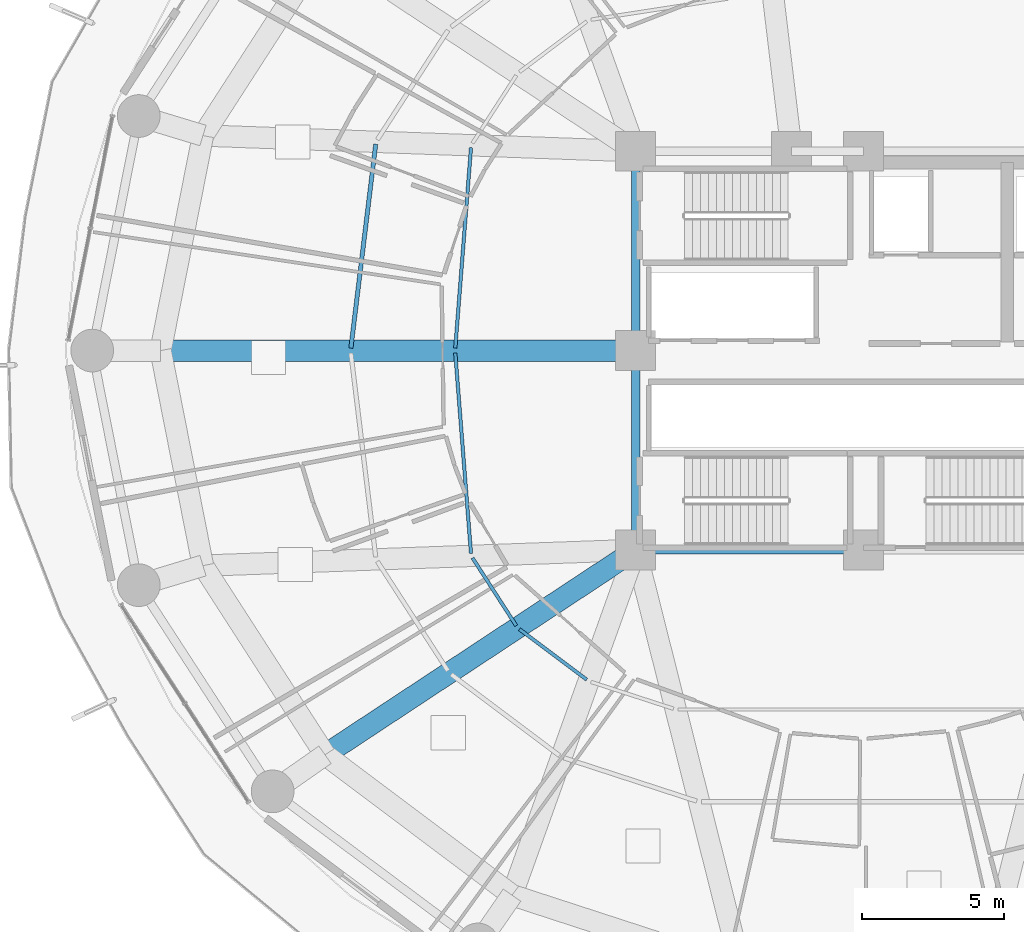
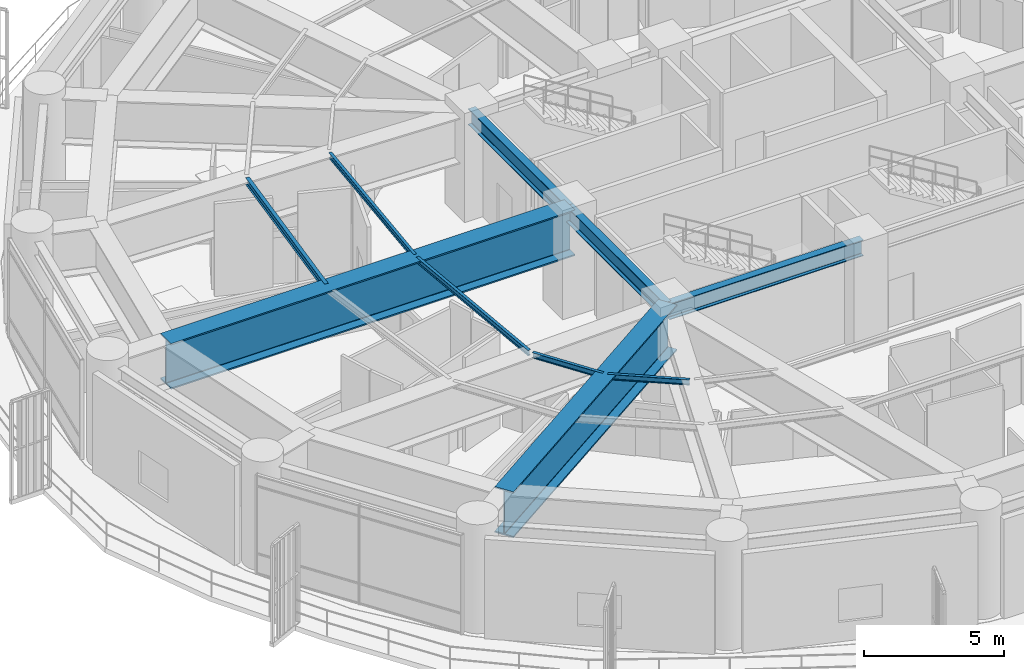
# One storey, part 7 of 31: 10 beams.
"""IFC4 building model written with IfcOpenShell, lengths in metres."""

from ifc_helpers import new_model, si_unit, direction, frame, origin, origin_2d, place, context, subcontext, project, spatial, i_section, extrude, material, material_profile, profile_set, type_object, element, save


model = new_model("IFC4")

# Units and contexts
model_context = context("Model", 3, precision=1e-05, world=origin(), true_north=direction((0.0, 1.0)))
body_context = subcontext(model_context, "Body", "Model", "MODEL_VIEW")
ifc_project = project(units=[si_unit("LENGTHUNIT", "METRE"), si_unit("AREAUNIT", "SQUARE_METRE"), si_unit("VOLUMEUNIT", "CUBIC_METRE"), si_unit("PLANEANGLEUNIT", "RADIAN"), si_unit("MASSUNIT", "GRAM", prefix="KILO")], contexts=[model_context])

# Site, building, storey
site_placement = place(None, origin())
site = spatial("IfcSite", under=ifc_project, at=site_placement, CompositionType="ELEMENT")
building_placement = place(site_placement, origin())
building = spatial("IfcBuilding", under=site, at=building_placement, Name="Kelanora Arch Commons", CompositionType="ELEMENT")
storey_placement = place(building_placement, frame((0.0, 0.0, 67.5)))
storey = spatial("IfcBuildingStorey", under=building, at=storey_placement, Name="L17", CompositionType="ELEMENT", Elevation=67.5)

# Beams
ifc_material = material(Name="Steel S355", Category="steel")
ifc_material_profile_1 = material_profile(ifc_material, i_section(OverallWidth=0.300048828125, OverallDepth=0.699951171875, WebThickness=0.01708984375, FlangeThickness=0.031982421875, FilletRadius=0.027099609375, at=origin_2d()), Name="HEB700")
ifc_profile_set_1 = profile_set([ifc_material_profile_1], Name="Steel S355")
beam_type_1 = type_object("IfcBeamType", Name="BM-CORE-HDR", PredefinedType="BEAM", material=ifc_profile_set_1)
beam_1_placement = place(storey_placement, frame((66.0, 51.0, 4.010009765625), z_axis=(1.0, 0.0, 0.0), x_axis=(0.0, 1.0, 0.0)))
element("IfcBeam", 1, at=beam_1_placement, inside=storey, type_object=beam_type_1, Name="Core Header Beam 01 L17", PredefinedType="BEAM", context=body_context, shape_type="SweptSolid", body=[
    extrude(i_section(OverallWidth=0.300048828125, OverallDepth=0.699951171875, WebThickness=0.01708984375, FlangeThickness=0.031982421875, FilletRadius=0.027099609375, at=origin_2d()), origin(), (0.0, 0.0, 1.0), 8.0),
])
for number, where, z_axis, x_axis, name in (
    (2, (66.0, 65.0, 4.010009765625), (0.0, -1.0, 0.0), (1.0, 0.0, 0.0), "Core Header Beam 08 L17"),
    (3, (66.0, 58.0, 4.010009765625), (0.0, -1.0, 0.0), (1.0, 0.0, 0.0), "Core Header Beam 09 L17"),
):
    element("IfcBeam", number, at=place(storey_placement, frame(where, z_axis=z_axis, x_axis=x_axis)), inside=storey, type_object=beam_type_1, Name=name, PredefinedType="BEAM", context=body_context, shape_type="SweptSolid", body=[
        extrude(i_section(OverallWidth=0.300048828125, OverallDepth=0.699951171875, WebThickness=0.01708984375, FlangeThickness=0.031982421875, FilletRadius=0.027099609375, at=origin_2d()), origin(), (0.0, 0.0, 1.0), 7.0),
    ])
ifc_material_profile_2 = material_profile(ifc_material, i_section(OverallWidth=0.14990234375, OverallDepth=0.300048828125, WebThickness=0.007080078125, FlangeThickness=0.0107421875, FilletRadius=0.014892578125, at=origin_2d()), Name="IPE300")
ifc_profile_set_2 = profile_set([ifc_material_profile_2], Name="Steel S355")
beam_type_2 = type_object("IfcBeamType", Name="BM-JST-01", PredefinedType="JOIST", material=ifc_profile_set_2)
beam_2_placement = place(storey_placement, frame((56.874755859375, 65.24658203125, 4.2099609375), z_axis=(-0.120935645266, -0.992660349618, 0.0), x_axis=(0.992660349618, -0.120935645266, 0.0)))
element("IfcBeam", 4, at=beam_2_placement, inside=storey, type_object=beam_type_2, Name="Secondary Chord Joist BJB-16 L17", PredefinedType="JOIST", context=body_context, shape_type="SweptSolid", body=[
    extrude(i_section(OverallWidth=0.14990234375, OverallDepth=0.300048828125, WebThickness=0.007080078125, FlangeThickness=0.0107421875, FilletRadius=0.014892578125, at=origin_2d()), origin(), (0.0, 0.0, 1.0), 7.215087890625),
])
ifc_material_profile_3 = material_profile(ifc_material, i_section(OverallWidth=0.1201171875, OverallDepth=0.239990234375, WebThickness=0.006103515625, FlangeThickness=0.009765625, FilletRadius=0.014892578125, at=origin_2d()), Name="IPE240")
ifc_profile_set_3 = profile_set([ifc_material_profile_3], Name="Steel S355")
beam_type_3 = type_object("IfcBeamType", Name="BM-JST-02", PredefinedType="JOIST", material=ifc_profile_set_3)
for number, where, z_axis, x_axis, name in (
    (5, (60.220458984375, 65.125, 4.239990234375), (-0.078200677502, -0.996937637989, 0.0), (0.996937637989, -0.078200677502, 0.0), "Secondary Chord Joist BJA-16 L17"),
    (6, (59.668212890625, 57.915283203125, 4.239990234375), (0.078200677502, -0.996937637989, 0.0), (0.996937637989, 0.078200677502, 0.0), "Secondary Chord Joist BJA-18 L17"),
):
    element("IfcBeam", number, at=place(storey_placement, frame(where, z_axis=z_axis, x_axis=x_axis)), inside=storey, type_object=beam_type_3, Name=name, PredefinedType="JOIST", context=body_context, shape_type="SweptSolid", body=[
        extrude(i_section(OverallWidth=0.1201171875, OverallDepth=0.239990234375, WebThickness=0.006103515625, FlangeThickness=0.009765625, FilletRadius=0.014892578125, at=origin_2d()), origin(), (0.0, 0.0, 1.0), 7.06201171875),
    ])
beam_3_placement = place(storey_placement, frame((60.273193359375, 50.718994140625, 4.239990234375), z_axis=(0.542211255502, -0.840242199849, 0.0), x_axis=(0.840242199849, 0.542211255502, 0.0)))
element("IfcBeam", 7, at=beam_3_placement, inside=storey, type_object=beam_type_3, Name="Secondary Chord Joist BJA-20 L17", PredefinedType="JOIST", context=body_context, shape_type="SweptSolid", body=[
    extrude(i_section(OverallWidth=0.1201171875, OverallDepth=0.239990234375, WebThickness=0.006103515625, FlangeThickness=0.009765625, FilletRadius=0.014892578125, at=origin_2d()), origin(), (0.0, 0.0, 1.0), 2.83349609375),
])
beam_4_placement = place(storey_placement, frame((61.923583984375, 48.2158203125, 4.239990234375), z_axis=(0.799692034361, -0.600410401458, 0.0), x_axis=(0.600410401458, 0.799692034361, 0.0)))
element("IfcBeam", 8, at=beam_4_placement, inside=storey, type_object=beam_type_3, Name="Secondary Chord Joist BJA-22 L17", PredefinedType="JOIST", context=body_context, shape_type="SweptSolid", body=[
    extrude(i_section(OverallWidth=0.1201171875, OverallDepth=0.239990234375, WebThickness=0.006103515625, FlangeThickness=0.009765625, FilletRadius=0.014892578125, at=origin_2d()), origin(), (0.0, 0.0, 1.0), 2.949951171875),
])
ifc_material_profile_4 = material_profile(ifc_material, i_section(OverallWidth=0.75, OverallDepth=2.0, WebThickness=0.034912109375, FlangeThickness=0.06005859375, FilletRadius=0.028076171875, at=origin_2d()), Name="PG2000x750")
ifc_profile_set_4 = profile_set([ifc_material_profile_4], Name="Steel S355")
beam_type_4 = type_object("IfcBeamType", Name="BM-XFER-SET", PredefinedType="USERDEFINED", material=ifc_profile_set_4)
beam_5_placement = place(storey_placement, frame((66.0, 58.0, 3.360107421875), z_axis=(-1.0, 0.0, 0.0), x_axis=(0.0, -1.0, 0.0)))
element("IfcBeam", 9, at=beam_5_placement, inside=storey, type_object=beam_type_4, Name="Setback Radial Transfer Girder BRI-18 L17", ObjectType="TRANSFER_GIRDER", PredefinedType="USERDEFINED", context=body_context, shape_type="SweptSolid", body=[
    extrude(i_section(OverallWidth=0.75, OverallDepth=2.0, WebThickness=0.034912109375, FlangeThickness=0.06005859375, FilletRadius=0.028076171875, at=origin_2d()), origin(), (0.0, 0.0, 1.0), 16.679931640625),
])
beam_6_placement = place(storey_placement, frame((66.0, 51.0, 3.360107421875), z_axis=(-0.834788577908, -0.550570640512, 0.0), x_axis=(0.550570640512, -0.834788577908, 0.0)))
element("IfcBeam", 10, at=beam_6_placement, inside=storey, type_object=beam_type_4, Name="Setback Radial Transfer Girder BRI-22 L17", ObjectType="TRANSFER_GIRDER", PredefinedType="USERDEFINED", context=body_context, shape_type="SweptSolid", body=[
    extrude(i_section(OverallWidth=0.75, OverallDepth=2.0, WebThickness=0.034912109375, FlangeThickness=0.06005859375, FilletRadius=0.028076171875, at=origin_2d()), origin(), (0.0, 0.0, 1.0), 13.064453125),
])

save(model, "model.ifc")
